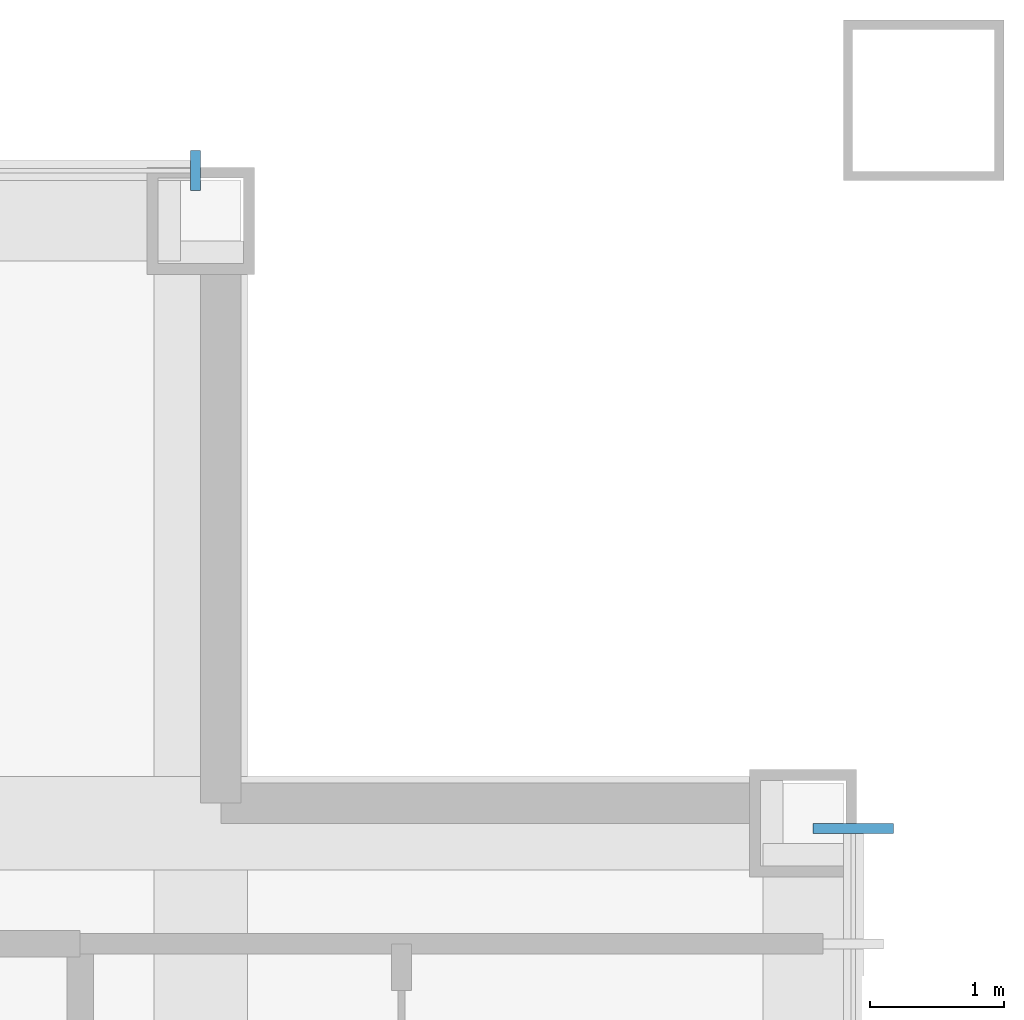
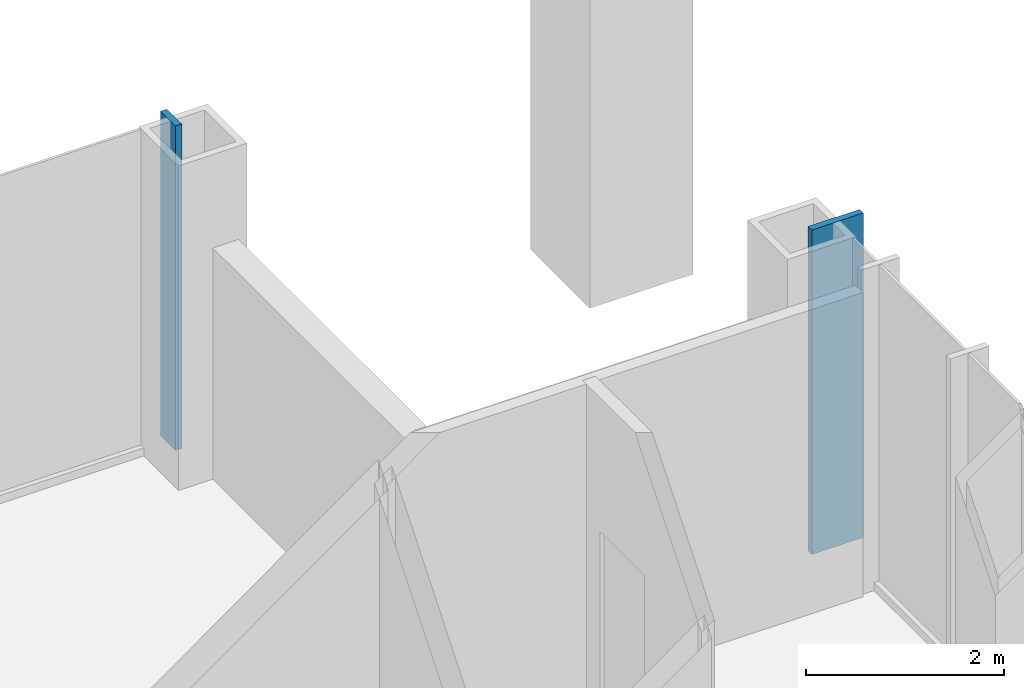
# One storey, part 5 of 17: 2 members, 2 elements without a shape of their own.
"""IFC4 building model written with IfcOpenShell, lengths in metres."""

from ifc_helpers import new_model, si_unit, direction, frame, origin, origin_2d, place, context, subcontext, project, spatial, rectangle, extrude, material, layer, layer_set, material_profile, profile_set, type_object, element, aggregate, save


model = new_model("IFC4")

# Units and contexts
model_context = context("Model", 3, precision=1e-05, world=origin(), true_north=direction((0.0, 1.0)))
body_context = subcontext(model_context, "Body", "Model", "MODEL_VIEW")
ifc_project = project(units=[si_unit("LENGTHUNIT", "METRE"), si_unit("AREAUNIT", "SQUARE_METRE"), si_unit("VOLUMEUNIT", "CUBIC_METRE"), si_unit("PLANEANGLEUNIT", "RADIAN"), si_unit("MASSUNIT", "GRAM", prefix="KILO")], contexts=[model_context])

# Site, building, storey
site_placement = place(None, origin())
site = spatial("IfcSite", under=ifc_project, at=site_placement, CompositionType="ELEMENT")
building_placement = place(site_placement, origin())
building = spatial("IfcBuilding", under=site, at=building_placement, Name="Malebo Sky Hospital", CompositionType="ELEMENT")
storey_placement = place(building_placement, frame((0.0, 0.0, 185.0)))
storey = spatial("IfcBuildingStorey", under=building, at=storey_placement, Name="L44", CompositionType="ELEMENT", Elevation=185.0)

# Curtain wall, member
ifc_material = material(Name="Anodised aluminium, natural silver", Category="aluminium")
ifc_layer_1 = layer(ifc_material, 0.25)
ifc_layer_set_1 = layer_set([ifc_layer_1], Name="WARD CURTAIN WALL NORTH AND SOUTH")
curtain_wall_type_1 = type_object("IfcCurtainWallType", Name="WARD CURTAIN WALL NORTH AND SOUTH", PredefinedType="NOTDEFINED", material=ifc_layer_set_1)
curtain_wall_1_placement = place(storey_placement, origin())
curtain_wall_1 = element("IfcCurtainWall", 1, at=curtain_wall_1_placement, inside=storey, type_object=curtain_wall_type_1, Name="NS curtain wall N", PredefinedType="NOTDEFINED")
ifc_material_profile_1 = material_profile(ifc_material, rectangle(XDim=0.074951171875, YDim=0.300048828125, at=origin_2d()), Name="CW1 ALUMINIUM FIN MULLION 75x300")
ifc_profile_set_1 = profile_set([ifc_material_profile_1], Name="Anodised aluminium, natural silver")
member_type_1 = type_object("IfcMemberType", Name="CW1 ALUMINIUM FIN MULLION 75x300", PredefinedType="MULLION", material=ifc_profile_set_1)
member_1_placement = place(storey_placement, frame((77.66259765625, 84.574951171875, 0.0), z_axis=(0.0, 0.0, 1.0), x_axis=(1.0, 0.0, 0.0)))
member_1 = element("IfcMember", 2, at=member_1_placement, type_object=member_type_1, Name="Fin mullion 14", PredefinedType="MULLION", context=body_context, shape_type="SweptSolid", body=[
    extrude(rectangle(XDim=0.074951171875, YDim=0.300048828125, at=origin_2d()), origin(), (0.0, 0.0, 1.0), 4.0),
])
aggregate(curtain_wall_1, [member_1])

ifc_layer_2 = layer(ifc_material, 0.25)
ifc_layer_set_2 = layer_set([ifc_layer_2], Name="WARD CURTAIN WALL EAST AND WEST")
curtain_wall_type_2 = type_object("IfcCurtainWallType", Name="WARD CURTAIN WALL EAST AND WEST", PredefinedType="NOTDEFINED", material=ifc_layer_set_2)
curtain_wall_2_placement = place(storey_placement, origin())
curtain_wall_2 = element("IfcCurtainWall", 3, at=curtain_wall_2_placement, inside=storey, type_object=curtain_wall_type_2, Name="EW curtain wall E", PredefinedType="NOTDEFINED")
ifc_material_profile_2 = material_profile(ifc_material, rectangle(XDim=0.074951171875, YDim=0.60009765625, at=origin_2d()), Name="CW2 ALUMINIUM FIN MULLION 75x600")
ifc_profile_set_2 = profile_set([ifc_material_profile_2], Name="Anodised aluminium, natural silver")
member_type_2 = type_object("IfcMemberType", Name="CW2 ALUMINIUM FIN MULLION 75x600", PredefinedType="MULLION", material=ifc_profile_set_2)
member_2_placement = place(storey_placement, frame((82.574951171875, 79.66259765625, 0.0), z_axis=(0.0, 0.0, 1.0), x_axis=(0.0, -1.0, 0.0)))
member_2 = element("IfcMember", 4, at=member_2_placement, type_object=member_type_2, Name="Fin mullion 1", PredefinedType="MULLION", context=body_context, shape_type="SweptSolid", body=[
    extrude(rectangle(XDim=0.074951171875, YDim=0.60009765625, at=origin_2d()), origin(), (0.0, 0.0, 1.0), 4.0),
])
aggregate(curtain_wall_2, [member_2])

save(model, "model.ifc")
